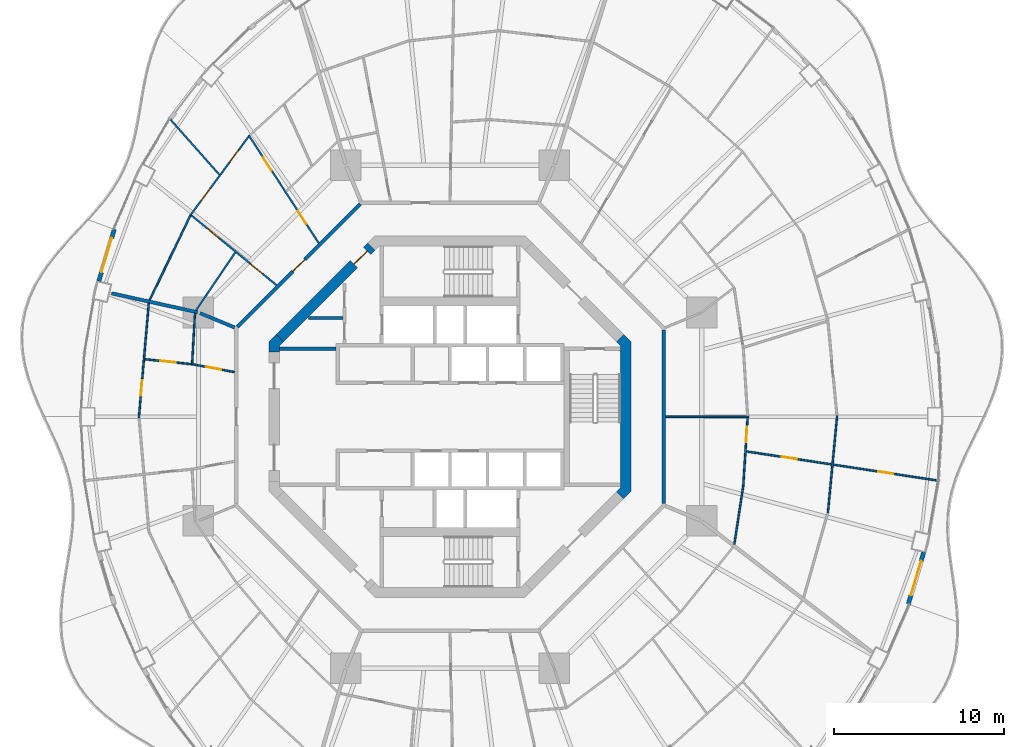
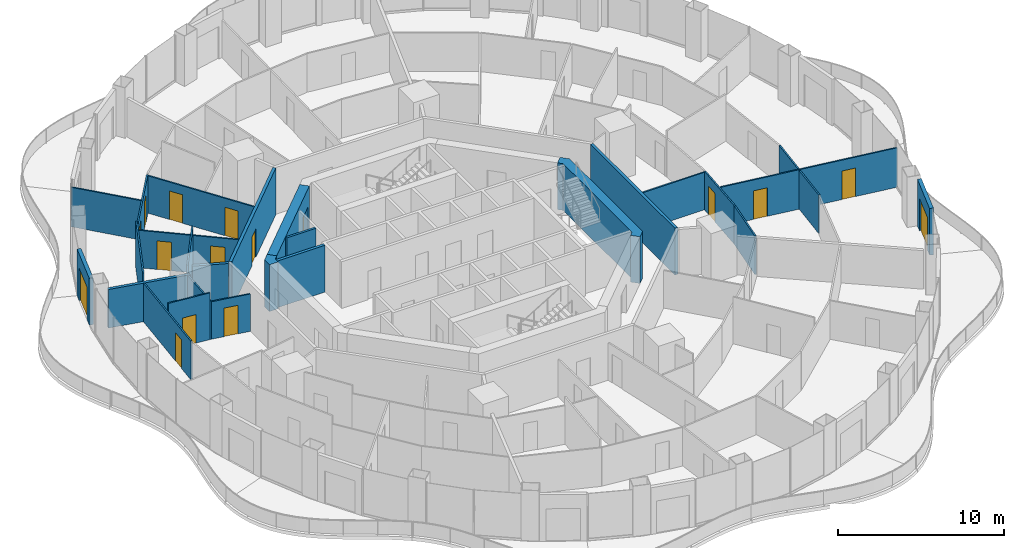
# One storey, part 13 of 19: 26 walls, 16 doors, 16 openings.
"""IFC4 building model written with IfcOpenShell, lengths in metres."""

from ifc_helpers import new_model, si_unit, direction, frame, frame_2d, origin, place, context, subcontext, project, spatial, polyline, rectangle, outline, extrude, material, layer, layer_set, type_object, element, fill, save


model = new_model("IFC4")

# Units and contexts
model_context = context("Model", 3, precision=1e-05, world=origin(), true_north=direction((0.0, 1.0)))
body_context = subcontext(model_context, "Body", "Model", "MODEL_VIEW")
ifc_project = project(units=[si_unit("LENGTHUNIT", "METRE"), si_unit("AREAUNIT", "SQUARE_METRE"), si_unit("VOLUMEUNIT", "CUBIC_METRE"), si_unit("PLANEANGLEUNIT", "RADIAN"), si_unit("MASSUNIT", "GRAM", prefix="KILO")], contexts=[model_context])

# Site, building, storey
site_placement = place(None, origin())
site = spatial("IfcSite", under=ifc_project, at=site_placement, CompositionType="ELEMENT")
building_placement = place(site_placement, origin())
building = spatial("IfcBuilding", under=site, at=building_placement, Name="Nagisa Residences", CompositionType="ELEMENT")
storey_placement = place(building_placement, frame((0.0, 0.0, 188.10009765625)))
storey = spatial("IfcBuildingStorey", under=building, at=storey_placement, Name="L47", CompositionType="ELEMENT", Elevation=188.10009765625)

# Walls
ifc_material_1 = material(Name="Gypsum board on steel studs", Category="steel")
ifc_layer_1 = layer(ifc_material_1, 0.199951171875)
ifc_layer_set_1 = layer_set([ifc_layer_1], Name="Apartment compartment wall EI60 200")
wall_type_1 = type_object("IfcWallType", Name="Apartment compartment wall EI60 200", PredefinedType="PARTITIONING", material=ifc_layer_set_1)
wall_1_placement = place(storey_placement, frame((-12.6572265625, 5.24267578125, 0.0), z_axis=(0.0, 0.0, 1.0), x_axis=(-0.923859888513, 0.38273085373, 0.0)))
element("IfcWall", 1, at=wall_1_placement, inside=storey, type_object=wall_type_1, Name="wall:L47:u04", PredefinedType="PARTITIONING", context=body_context, shape_type="SweptSolid", body=[
    extrude(rectangle(XDim=2.199462890625, YDim=0.199951171875, at=frame_2d((1.099609375, 0.0))), origin(), (0.0, 0.0, 1.0), 3.43994140625),
])
wall_2_placement = place(storey_placement, frame((-14.830810546875, 6.133544921875, 0.0), z_axis=(0.0, 0.0, 1.0), x_axis=(-0.976568396888, 0.215207263354, 0.0)))
element("IfcWall", 2, at=wall_2_placement, inside=storey, type_object=wall_type_1, Name="wall:L47:u05", PredefinedType="PARTITIONING", context=body_context, shape_type="SweptSolid", body=[
    extrude(rectangle(XDim=5.176513671875, YDim=0.199951171875, at=frame_2d((2.58837890625, 0.0))), origin(), (0.0, 0.0, 1.0), 2.8369140625),
])
ifc_material_2 = material(Name="Gypsum board on steel studs", Category="steel")
ifc_layer_2 = layer(ifc_material_2, 0.199951171875)
ifc_layer_set_2 = layer_set([ifc_layer_2], Name="Apartment entry wall EI60 200")
wall_type_2 = type_object("IfcWallType", Name="Apartment entry wall EI60 200", PredefinedType="PARTITIONING", material=ifc_layer_set_2)
wall_3_placement = place(storey_placement, frame((12.564697265625, -5.1044921875, 0.0), z_axis=(0.0, 0.0, 1.0), x_axis=(0.0, 1.0, 0.0)))
element("IfcWall", 3, at=wall_3_placement, inside=storey, type_object=wall_type_2, Name="wall:L47:u10", PredefinedType="PARTITIONING", context=body_context, shape_type="SweptSolid", body=[
    extrude(rectangle(XDim=10.208984375, YDim=0.199951171875, at=frame_2d((5.1044921875, 0.0))), origin(), (0.0, 0.0, 1.0), 3.43994140625),
])

# Wall, opening, door
wall_4_placement = place(storey_placement, frame((-5.275146484375, 12.494140625, 0.0), z_axis=(0.0, 0.0, 1.0), x_axis=(-0.707106781187, -0.707106781187, 0.0)))
wall_4 = element("IfcWall", 4, at=wall_4_placement, inside=storey, type_object=wall_type_2, Name="wall:L47:u13", PredefinedType="PARTITIONING", context=body_context, shape_type="SweptSolid", body=[
    extrude(rectangle(XDim=10.209228515625, YDim=0.199951171875, at=frame_2d((5.1044921875, 0.0))), origin(), (0.0, 0.0, 1.0), 3.43994140625),
])
opening_1_placement = place(wall_4_placement, frame((4.6044921875, 0.0, 0.0)))
opening_1 = element("IfcOpeningElement", 5, at=opening_1_placement, cuts=wall_4, Name="Opening L47-U01", PredefinedType="OPENING", context=body_context, shape_type="SweptSolid", body=[
    extrude(rectangle(XDim=1.0, YDim=2.10009765625, at=frame_2d((0.5, 1.050048828125))), frame((0.0, 0.10986328125, 0.0), z_axis=(0.0, -1.0, 0.0), x_axis=(1.0, 0.0, 0.0)), (0.0, 0.0, 1.0), 0.219970703125),
])
ifc_material_3 = material(Name="Timber fire door set", Category="wood")
door_type_1 = type_object("IfcDoorType", Name="Apartment entry door FD30S 1000x2100", OperationType="NOTDEFINED", PredefinedType="DOOR", material=ifc_material_3)
door_1_placement = place(opening_1_placement, frame((1.0, 0.0, 0.0), x_axis=(-1.0, 0.0, 0.0)))
door_1 = element("IfcDoor", 6, at=door_1_placement, inside=storey, type_object=door_type_1, Name="Entry door, Apartment 47A", OperationType="SINGLE_SWING_RIGHT", OverallHeight=2.10009765625, OverallWidth=1.0, PredefinedType="DOOR", context=body_context, shape_type="SweptSolid", body=[
    extrude(rectangle(XDim=1.0, YDim=2.10009765625, at=frame_2d((0.5, 1.050048828125))), frame((0.0, 0.02490234375, 0.0), z_axis=(0.0, -1.0, 0.0), x_axis=(1.0, 0.0, 0.0)), (0.0, 0.0, 1.0), 0.050048828125),
])
fill(opening_1, door_1)

# Wall
ifc_material_4 = material(Name="Gypsum board on steel studs", Category="steel")
ifc_layer_3 = layer(ifc_material_4, 0.10009765625)
ifc_layer_set_3 = layer_set([ifc_layer_3], Name="Apartment partition 100")
wall_type_3 = type_object("IfcWallType", Name="Apartment partition 100", PredefinedType="PARTITIONING", material=ifc_layer_set_3)
wall_5_placement = place(storey_placement, frame((12.664794921875, 0.0, 0.0), z_axis=(0.0, 0.0, 1.0), x_axis=(1.0, 0.0, 0.0)))
element("IfcWall", 7, at=wall_5_placement, inside=storey, type_object=wall_type_3, Name="wall:L47:u18", PredefinedType="PARTITIONING", context=body_context, shape_type="SweptSolid", body=[
    extrude(rectangle(XDim=4.873046875, YDim=0.10009765625, at=frame_2d((2.4365234375, 0.0))), origin(), (0.0, 0.0, 1.0), 2.755859375),
])

# Wall, opening, door
wall_6_placement = place(storey_placement, frame((17.484619140625, -0.0498046875, 0.0), z_axis=(0.0, 0.0, 1.0), x_axis=(-0.063673473968, -0.997970785501, 0.0)))
wall_6 = element("IfcWall", 8, at=wall_6_placement, inside=storey, type_object=wall_type_3, Name="wall:L47:u20", PredefinedType="PARTITIONING", context=body_context, shape_type="SweptSolid", body=[
    extrude(rectangle(XDim=4.072021484375, YDim=0.10009765625, at=frame_2d((2.0361328125, 0.0))), origin(), (0.0, 0.0, 1.0), 2.8369140625),
])
opening_2_placement = place(wall_6_placement, frame((0.54296875, 0.0, 0.0)))
opening_2 = element("IfcOpeningElement", 9, at=opening_2_placement, cuts=wall_6, Name="Opening L47-U45", PredefinedType="OPENING", context=body_context, shape_type="SweptSolid", body=[
    extrude(rectangle(XDim=0.89990234375, YDim=2.10009765625, at=frame_2d((0.449951171875, 1.050048828125))), frame((0.0, 0.06005859375, 0.0), z_axis=(0.0, -1.0, 0.0), x_axis=(1.0, 0.0, 0.0)), (0.0, 0.0, 1.0), 0.1201171875),
])
ifc_material_5 = material(Name="Timber door set", Category="wood")
door_type_2 = type_object("IfcDoorType", Name="Apartment door 900x2100", OperationType="NOTDEFINED", PredefinedType="DOOR", material=ifc_material_5)
door_2_placement = place(opening_2_placement, frame((0.89990234375, 0.0, 0.0), x_axis=(-1.0, 0.0, 0.0)))
door_2 = element("IfcDoor", 10, at=door_2_placement, inside=storey, type_object=door_type_2, Name="Door to laundry, Apartment 47D", OperationType="SINGLE_SWING_RIGHT", OverallHeight=2.10009765625, OverallWidth=0.89990234375, PredefinedType="DOOR", context=body_context, shape_type="SweptSolid", body=[
    extrude(rectangle(XDim=0.89990234375, YDim=2.10009765625, at=frame_2d((0.449951171875, 1.050048828125))), frame((0.0, 0.02490234375, 0.0), z_axis=(0.0, -1.0, 0.0), x_axis=(1.0, 0.0, 0.0)), (0.0, 0.0, 1.0), 0.050048828125),
])
fill(opening_2, door_2)

# Wall
wall_7_placement = place(storey_placement, frame((22.743896484375, 0.0498046875, 0.0), z_axis=(0.0, 0.0, 1.0), x_axis=(-0.094931362305, -0.995483820286, 0.0)))
element("IfcWall", 11, at=wall_7_placement, inside=storey, type_object=wall_type_3, Name="wall:L47:u22", PredefinedType="PARTITIONING", context=body_context, shape_type="SweptSolid", body=[
    extrude(rectangle(XDim=5.747802734375, YDim=0.10009765625, at=frame_2d((2.8740234375, 0.0))), origin(), (0.0, 0.0, 1.0), 2.8369140625),
])

# Wall, openings, doors
wall_8_placement = place(storey_placement, frame((-7.71240234375, 10.1953125, 0.0), z_axis=(0.0, 0.0, 1.0), x_axis=(-0.544179442551, 0.838968851809, 0.0)))
wall_8 = element("IfcWall", 12, at=wall_8_placement, inside=storey, type_object=wall_type_3, Name="wall:L47:u49", PredefinedType="PARTITIONING", context=body_context, shape_type="SweptSolid", body=[
    extrude(rectangle(XDim=7.56640625, YDim=0.10009765625, at=frame_2d((3.783203125, 0.0))), origin(), (0.0, 0.0, 1.0), 2.755859375),
])
opening_3_placement = place(wall_8_placement, frame((1.3427734375, 0.0, 0.0)))
opening_3 = element("IfcOpeningElement", 13, at=opening_3_placement, cuts=wall_8, Name="Opening L47-U02", PredefinedType="OPENING", context=body_context, shape_type="SweptSolid", body=[
    extrude(rectangle(XDim=0.89990234375, YDim=2.10009765625, at=frame_2d((0.449951171875, 1.050048828125))), frame((0.0, 0.06005859375, 0.0), z_axis=(0.0, -1.0, 0.0), x_axis=(1.0, 0.0, 0.0)), (0.0, 0.0, 1.0), 0.1201171875),
])
opening_4_placement = place(wall_8_placement, frame((5.100830078125, 0.0, 0.0)))
opening_4 = element("IfcOpeningElement", 14, at=opening_4_placement, cuts=wall_8, Name="Opening L47-U04", PredefinedType="OPENING", context=body_context, shape_type="SweptSolid", body=[
    extrude(rectangle(XDim=0.89990234375, YDim=2.10009765625, at=frame_2d((0.449951171875, 1.050048828125))), frame((0.0, 0.06005859375, 0.0), z_axis=(0.0, -1.0, 0.0), x_axis=(1.0, 0.0, 0.0)), (0.0, 0.0, 1.0), 0.1201171875),
])
door_3_placement = place(opening_3_placement, frame((0.89990234375, 0.0, 0.0), x_axis=(-1.0, 0.0, 0.0)))
door_3 = element("IfcDoor", 15, at=door_3_placement, inside=storey, type_object=door_type_2, Name="Door to store, Apartment 47A", OperationType="SINGLE_SWING_LEFT", OverallHeight=2.10009765625, OverallWidth=0.89990234375, PredefinedType="DOOR", context=body_context, shape_type="SweptSolid", body=[
    extrude(rectangle(XDim=0.89990234375, YDim=2.10009765625, at=frame_2d((0.449951171875, 1.050048828125))), frame((0.0, 0.02490234375, 0.0), z_axis=(0.0, -1.0, 0.0), x_axis=(1.0, 0.0, 0.0)), (0.0, 0.0, 1.0), 0.050048828125),
])
fill(opening_3, door_3)
door_4_placement = place(opening_4_placement, frame((0.89990234375, 0.0, 0.0), x_axis=(-1.0, 0.0, 0.0)))
door_4 = element("IfcDoor", 16, at=door_4_placement, inside=storey, type_object=door_type_2, Name="Door to family bathroom, Apartment 47A", OperationType="SINGLE_SWING_LEFT", OverallHeight=2.10009765625, OverallWidth=0.89990234375, PredefinedType="DOOR", context=body_context, shape_type="SweptSolid", body=[
    extrude(rectangle(XDim=0.89990234375, YDim=2.10009765625, at=frame_2d((0.449951171875, 1.050048828125))), frame((0.0, 0.02490234375, 0.0), z_axis=(0.0, -1.0, 0.0), x_axis=(1.0, 0.0, 0.0)), (0.0, 0.0, 1.0), 0.050048828125),
])
fill(opening_4, door_4)

wall_9_placement = place(storey_placement, frame((-11.832275390625, 16.461181640625, 0.0), z_axis=(0.0, 0.0, 1.0), x_axis=(-0.594704483906, -0.803944386647, 0.0)))
wall_9 = element("IfcWall", 17, at=wall_9_placement, inside=storey, type_object=wall_type_3, Name="wall:L47:u50", PredefinedType="PARTITIONING", context=body_context, shape_type="SweptSolid", body=[
    extrude(rectangle(XDim=5.671875, YDim=0.10009765625, at=frame_2d((2.8359375, 0.0))), origin(), (0.0, 0.0, 1.0), 2.8369140625),
])
opening_5_placement = place(wall_9_placement, frame((0.968017578125, 0.0, 0.0)))
opening_5 = element("IfcOpeningElement", 18, at=opening_5_placement, cuts=wall_9, Name="Opening L47-U06", PredefinedType="OPENING", context=body_context, shape_type="SweptSolid", body=[
    extrude(rectangle(XDim=0.89990234375, YDim=2.10009765625, at=frame_2d((0.449951171875, 1.050048828125))), frame((0.0, 0.06005859375, 0.0), z_axis=(0.0, -1.0, 0.0), x_axis=(1.0, 0.0, 0.0)), (0.0, 0.0, 1.0), 0.1201171875),
])
opening_6_placement = place(wall_9_placement, frame((3.8037109375, 0.0, 0.0)))
opening_6 = element("IfcOpeningElement", 19, at=opening_6_placement, cuts=wall_9, Name="Opening L47-U07", PredefinedType="OPENING", context=body_context, shape_type="SweptSolid", body=[
    extrude(rectangle(XDim=0.89990234375, YDim=2.10009765625, at=frame_2d((0.449951171875, 1.050048828125))), frame((0.0, 0.06005859375, 0.0), z_axis=(0.0, -1.0, 0.0), x_axis=(1.0, 0.0, 0.0)), (0.0, 0.0, 1.0), 0.1201171875),
])
door_5_placement = place(opening_5_placement, frame((0.89990234375, 0.0, 0.0), x_axis=(-1.0, 0.0, 0.0)))
door_5 = element("IfcDoor", 20, at=door_5_placement, inside=storey, type_object=door_type_2, Name="Door to master bedroom, Apartment 47A", OperationType="SINGLE_SWING_LEFT", OverallHeight=2.10009765625, OverallWidth=0.89990234375, PredefinedType="DOOR", context=body_context, shape_type="SweptSolid", body=[
    extrude(rectangle(XDim=0.89990234375, YDim=2.10009765625, at=frame_2d((0.449951171875, 1.050048828125))), frame((0.0, 0.02490234375, 0.0), z_axis=(0.0, -1.0, 0.0), x_axis=(1.0, 0.0, 0.0)), (0.0, 0.0, 1.0), 0.050048828125),
])
fill(opening_5, door_5)
door_6_placement = place(opening_6_placement, frame((0.89990234375, 0.0, 0.0), x_axis=(-1.0, 0.0, 0.0)))
door_6 = element("IfcDoor", 21, at=door_6_placement, inside=storey, type_object=door_type_2, Name="Door to living room, Apartment 47A", OperationType="SINGLE_SWING_RIGHT", OverallHeight=2.10009765625, OverallWidth=0.89990234375, PredefinedType="DOOR", context=body_context, shape_type="SweptSolid", body=[
    extrude(rectangle(XDim=0.89990234375, YDim=2.10009765625, at=frame_2d((0.449951171875, 1.050048828125))), frame((0.0, 0.02490234375, 0.0), z_axis=(0.0, -1.0, 0.0), x_axis=(1.0, 0.0, 0.0)), (0.0, 0.0, 1.0), 0.050048828125),
])
fill(opening_6, door_6)

# Wall
wall_10_placement = place(storey_placement, frame((-13.552001953125, 14.21875, 0.0), z_axis=(0.0, 0.0, 1.0), x_axis=(-0.663542794709, 0.748138329181, 0.0)))
element("IfcWall", 22, at=wall_10_placement, inside=storey, type_object=wall_type_3, Name="wall:L47:u51", PredefinedType="PARTITIONING", context=body_context, shape_type="SweptSolid", body=[
    extrude(rectangle(XDim=4.4501953125, YDim=0.10009765625, at=frame_2d((2.22509765625, 0.0))), origin(), (0.0, 0.0, 1.0), 2.90478515625),
])

# Wall, openings, doors
wall_11_placement = place(storey_placement, frame((-10.188720703125, 7.721435546875, 0.0), z_axis=(0.0, 0.0, 1.0), x_axis=(-0.773121441079, 0.634258021112, 0.0)))
wall_11 = element("IfcWall", 23, at=wall_11_placement, inside=storey, type_object=wall_type_3, Name="wall:L47:u52", PredefinedType="PARTITIONING", context=body_context, shape_type="SweptSolid", body=[
    extrude(rectangle(XDim=6.5771484375, YDim=0.10009765625, at=frame_2d((3.28857421875, 0.0))), origin(), (0.0, 0.0, 1.0), 2.755859375),
])
opening_7_placement = place(wall_11_placement, frame((1.103515625, 0.0, 0.0)))
opening_7 = element("IfcOpeningElement", 24, at=opening_7_placement, cuts=wall_11, Name="Opening L47-U03", PredefinedType="OPENING", context=body_context, shape_type="SweptSolid", body=[
    extrude(rectangle(XDim=0.89990234375, YDim=2.10009765625, at=frame_2d((0.449951171875, 1.050048828125))), frame((0.0, 0.06005859375, 0.0), z_axis=(0.0, -1.0, 0.0), x_axis=(1.0, 0.0, 0.0)), (0.0, 0.0, 1.0), 0.1201171875),
])
opening_8_placement = place(wall_11_placement, frame((4.366943359375, 0.0, 0.0)))
opening_8 = element("IfcOpeningElement", 25, at=opening_8_placement, cuts=wall_11, Name="Opening L47-U05", PredefinedType="OPENING", context=body_context, shape_type="SweptSolid", body=[
    extrude(rectangle(XDim=0.89990234375, YDim=2.10009765625, at=frame_2d((0.449951171875, 1.050048828125))), frame((0.0, 0.06005859375, 0.0), z_axis=(0.0, -1.0, 0.0), x_axis=(1.0, 0.0, 0.0)), (0.0, 0.0, 1.0), 0.1201171875),
])
door_7_placement = place(opening_7_placement, origin())
door_7 = element("IfcDoor", 26, at=door_7_placement, inside=storey, type_object=door_type_2, Name="Door to family bathroom, Apartment 47A", OperationType="SINGLE_SWING_LEFT", OverallHeight=2.10009765625, OverallWidth=0.89990234375, PredefinedType="DOOR", context=body_context, shape_type="SweptSolid", body=[
    extrude(rectangle(XDim=0.89990234375, YDim=2.10009765625, at=frame_2d((0.449951171875, 1.050048828125))), frame((0.0, 0.02490234375, 0.0), z_axis=(0.0, -1.0, 0.0), x_axis=(1.0, 0.0, 0.0)), (0.0, 0.0, 1.0), 0.050048828125),
])
fill(opening_7, door_7)
door_8_placement = place(opening_8_placement, origin())
door_8 = element("IfcDoor", 27, at=door_8_placement, inside=storey, type_object=door_type_2, Name="Door to kitchen, Apartment 47A", OperationType="SINGLE_SWING_LEFT", OverallHeight=2.10009765625, OverallWidth=0.89990234375, PredefinedType="DOOR", context=body_context, shape_type="SweptSolid", body=[
    extrude(rectangle(XDim=0.89990234375, YDim=2.10009765625, at=frame_2d((0.449951171875, 1.050048828125))), frame((0.0, 0.02490234375, 0.0), z_axis=(0.0, -1.0, 0.0), x_axis=(1.0, 0.0, 0.0)), (0.0, 0.0, 1.0), 0.050048828125),
])
fill(opening_8, door_8)

# Walls
wall_12_placement = place(storey_placement, frame((-12.61865234375, 9.650390625, 0.0), z_axis=(0.0, 0.0, 1.0), x_axis=(-0.561046521684, -0.82778427172, 0.0)))
element("IfcWall", 28, at=wall_12_placement, inside=storey, type_object=wall_type_3, Name="wall:L47:u53", PredefinedType="PARTITIONING", context=body_context, shape_type="SweptSolid", body=[
    extrude(rectangle(XDim=4.108642578125, YDim=0.10009765625, at=frame_2d((2.05419921875, 0.0))), origin(), (0.0, 0.0, 1.0), 3.43994140625),
])
wall_13_placement = place(storey_placement, frame((-15.2568359375, 11.816162109375, 0.0), z_axis=(0.0, 0.0, 1.0), x_axis=(-0.434027506504, -0.900899619046, 0.0)))
element("IfcWall", 29, at=wall_13_placement, inside=storey, type_object=wall_type_3, Name="wall:L47:u54", PredefinedType="PARTITIONING", context=body_context, shape_type="SweptSolid", body=[
    extrude(rectangle(XDim=5.508056640625, YDim=0.10009765625, at=frame_2d((2.75390625, 0.0))), origin(), (0.0, 0.0, 1.0), 3.43994140625),
])
wall_14_placement = place(storey_placement, frame((-14.985595703125, 6.066650390625, 0.0), z_axis=(0.0, 0.0, 1.0), x_axis=(-0.056333452925, -0.998412010185, 0.0)))
element("IfcWall", 30, at=wall_14_placement, inside=storey, type_object=wall_type_3, Name="wall:L47:u55", PredefinedType="PARTITIONING", context=body_context, shape_type="SweptSolid", body=[
    extrude(rectangle(XDim=3.0380859375, YDim=0.10009765625, at=frame_2d((1.51904296875, 0.0))), origin(), (0.0, 0.0, 1.0), 2.8369140625),
])

# Wall, opening, door
wall_15_placement = place(storey_placement, frame((-17.69970703125, 6.664306640625, 0.0), z_axis=(0.0, 0.0, 1.0), x_axis=(-0.086004282666, -0.996294767307, 0.0)))
wall_15 = element("IfcWall", 31, at=wall_15_placement, inside=storey, type_object=wall_type_3, Name="wall:L47:u56", PredefinedType="PARTITIONING", context=body_context, shape_type="SweptSolid", body=[
    extrude(rectangle(XDim=6.739013671875, YDim=0.10009765625, at=frame_2d((3.36962890625, 0.0))), origin(), (0.0, 0.0, 1.0), 2.8369140625),
])
opening_9_placement = place(wall_15_placement, frame((4.5419921875, 0.0, 0.0)))
opening_9 = element("IfcOpeningElement", 32, at=opening_9_placement, cuts=wall_15, Name="Opening L47-U15", PredefinedType="OPENING", context=body_context, shape_type="SweptSolid", body=[
    extrude(rectangle(XDim=0.89990234375, YDim=2.10009765625, at=frame_2d((0.449951171875, 1.050048828125))), frame((0.0, 0.06005859375, 0.0), z_axis=(0.0, -1.0, 0.0), x_axis=(1.0, 0.0, 0.0)), (0.0, 0.0, 1.0), 0.1201171875),
])
door_9_placement = place(opening_9_placement, frame((0.89990234375, 0.0, 0.0), x_axis=(-1.0, 0.0, 0.0)))
door_9 = element("IfcDoor", 33, at=door_9_placement, inside=storey, type_object=door_type_2, Name="Door to bedroom, Apartment 47B", OperationType="SINGLE_SWING_RIGHT", OverallHeight=2.10009765625, OverallWidth=0.89990234375, PredefinedType="DOOR", context=body_context, shape_type="SweptSolid", body=[
    extrude(rectangle(XDim=0.89990234375, YDim=2.10009765625, at=frame_2d((0.449951171875, 1.050048828125))), frame((0.0, 0.02490234375, 0.0), z_axis=(0.0, -1.0, 0.0), x_axis=(1.0, 0.0, 0.0)), (0.0, 0.0, 1.0), 0.050048828125),
])
fill(opening_9, door_9)

wall_16_placement = place(storey_placement, frame((-12.6630859375, 2.62060546875, 0.0), z_axis=(0.0, 0.0, 1.0), x_axis=(-0.983176884312, 0.182655999505, 0.0)))
wall_16 = element("IfcWall", 34, at=wall_16_placement, inside=storey, type_object=wall_type_3, Name="wall:L47:u57", PredefinedType="PARTITIONING", context=body_context, shape_type="SweptSolid", body=[
    extrude(rectangle(XDim=2.4833984375, YDim=0.10009765625, at=frame_2d((1.24169921875, 0.0))), origin(), (0.0, 0.0, 1.0), 2.755859375),
])
opening_10_placement = place(wall_16_placement, frame((0.791748046875, 0.0, 0.0)))
opening_10 = element("IfcOpeningElement", 35, at=opening_10_placement, cuts=wall_16, Name="Opening L47-U10", PredefinedType="OPENING", context=body_context, shape_type="SweptSolid", body=[
    extrude(rectangle(XDim=0.89990234375, YDim=2.10009765625, at=frame_2d((0.449951171875, 1.050048828125))), frame((0.0, 0.06005859375, 0.0), z_axis=(0.0, -1.0, 0.0), x_axis=(1.0, 0.0, 0.0)), (0.0, 0.0, 1.0), 0.1201171875),
])
door_10_placement = place(opening_10_placement, frame((0.89990234375, 0.0, 0.0), x_axis=(-1.0, 0.0, 0.0)))
door_10 = element("IfcDoor", 36, at=door_10_placement, inside=storey, type_object=door_type_2, Name="Door to family bathroom, Apartment 47B", OperationType="SINGLE_SWING_LEFT", OverallHeight=2.10009765625, OverallWidth=0.89990234375, PredefinedType="DOOR", context=body_context, shape_type="SweptSolid", body=[
    extrude(rectangle(XDim=0.89990234375, YDim=2.10009765625, at=frame_2d((0.449951171875, 1.050048828125))), frame((0.0, 0.02490234375, 0.0), z_axis=(0.0, -1.0, 0.0), x_axis=(1.0, 0.0, 0.0)), (0.0, 0.0, 1.0), 0.050048828125),
])
fill(opening_10, door_10)

wall_17_placement = place(storey_placement, frame((-15.20361328125, 3.088623046875, 0.0), z_axis=(0.0, 0.0, 1.0), x_axis=(-0.994477149695, 0.104953316934, 0.0)))
wall_17 = element("IfcWall", 37, at=wall_17_placement, inside=storey, type_object=wall_type_3, Name="wall:L47:u58", PredefinedType="PARTITIONING", context=body_context, shape_type="SweptSolid", body=[
    extrude(rectangle(XDim=2.744873046875, YDim=0.10009765625, at=frame_2d((1.37255859375, 0.0))), origin(), (0.0, 0.0, 1.0), 3.43994140625),
])
opening_11_placement = place(wall_17_placement, frame((0.92236328125, 0.0, 0.0)))
opening_11 = element("IfcOpeningElement", 38, at=opening_11_placement, cuts=wall_17, Name="Opening L47-U12", PredefinedType="OPENING", context=body_context, shape_type="SweptSolid", body=[
    extrude(rectangle(XDim=0.89990234375, YDim=2.10009765625, at=frame_2d((0.449951171875, 1.050048828125))), frame((0.0, 0.06005859375, 0.0), z_axis=(0.0, -1.0, 0.0), x_axis=(1.0, 0.0, 0.0)), (0.0, 0.0, 1.0), 0.1201171875),
])
door_11_placement = place(opening_11_placement, frame((0.89990234375, 0.0, 0.0), x_axis=(-1.0, 0.0, 0.0)))
door_11 = element("IfcDoor", 39, at=door_11_placement, inside=storey, type_object=door_type_2, Name="Door to family bathroom, Apartment 47B", OperationType="SINGLE_SWING_LEFT", OverallHeight=2.10009765625, OverallWidth=0.89990234375, PredefinedType="DOOR", context=body_context, shape_type="SweptSolid", body=[
    extrude(rectangle(XDim=0.89990234375, YDim=2.10009765625, at=frame_2d((0.449951171875, 1.050048828125))), frame((0.0, 0.02490234375, 0.0), z_axis=(0.0, -1.0, 0.0), x_axis=(1.0, 0.0, 0.0)), (0.0, 0.0, 1.0), 0.050048828125),
])
fill(opening_11, door_11)

# Wall
wall_18_placement = place(storey_placement, frame((16.704345703125, -7.4931640625, 0.0), z_axis=(0.0, 0.0, 1.0), x_axis=(0.1510806336, 0.988521442434, 0.0)))
element("IfcWall", 40, at=wall_18_placement, inside=storey, type_object=wall_type_3, Name="wall:L47:u94", PredefinedType="PARTITIONING", context=body_context, shape_type="SweptSolid", body=[
    extrude(rectangle(XDim=3.41943359375, YDim=0.10009765625, at=frame_2d((1.709716796875, 0.0))), origin(), (0.0, 0.0, 1.0), 2.8369140625),
])

# Wall, openings, doors
wall_19_placement = place(storey_placement, frame((17.407470703125, -2.039306640625, 0.0), z_axis=(0.0, 0.0, 1.0), x_axis=(0.98858728603, -0.150649188184, 0.0)))
wall_19 = element("IfcWall", 41, at=wall_19_placement, inside=storey, type_object=wall_type_3, Name="wall:L47:u96", PredefinedType="PARTITIONING", context=body_context, shape_type="SweptSolid", body=[
    extrude(rectangle(XDim=11.44140625, YDim=0.10009765625, at=frame_2d((5.720703125, 0.0))), origin(), (0.0, 0.0, 1.0), 2.90478515625),
])
opening_12_placement = place(wall_19_placement, frame((7.831787109375, 0.0, 0.0)))
opening_12 = element("IfcOpeningElement", 42, at=opening_12_placement, cuts=wall_19, Name="Opening L47-U44", PredefinedType="OPENING", context=body_context, shape_type="SweptSolid", body=[
    extrude(rectangle(XDim=0.89990234375, YDim=2.10009765625, at=frame_2d((0.449951171875, 1.050048828125))), frame((0.0, 0.06005859375, 0.0), z_axis=(0.0, -1.0, 0.0), x_axis=(1.0, 0.0, 0.0)), (0.0, 0.0, 1.0), 0.1201171875),
])
opening_13_placement = place(wall_19_placement, frame((2.111083984375, 0.0, 0.0)))
opening_13 = element("IfcOpeningElement", 43, at=opening_13_placement, cuts=wall_19, Name="Opening L47-U46", PredefinedType="OPENING", context=body_context, shape_type="SweptSolid", body=[
    extrude(rectangle(XDim=0.89990234375, YDim=2.10009765625, at=frame_2d((0.449951171875, 1.050048828125))), frame((0.0, 0.06005859375, 0.0), z_axis=(0.0, -1.0, 0.0), x_axis=(1.0, 0.0, 0.0)), (0.0, 0.0, 1.0), 0.1201171875),
])
door_12_placement = place(opening_12_placement, frame((0.89990234375, 0.0, 0.0), x_axis=(-1.0, 0.0, 0.0)))
door_12 = element("IfcDoor", 44, at=door_12_placement, inside=storey, type_object=door_type_2, Name="Door to master bedroom, Apartment 47D", OperationType="SINGLE_SWING_LEFT", OverallHeight=2.10009765625, OverallWidth=0.89990234375, PredefinedType="DOOR", context=body_context, shape_type="SweptSolid", body=[
    extrude(rectangle(XDim=0.89990234375, YDim=2.10009765625, at=frame_2d((0.449951171875, 1.050048828125))), frame((0.0, 0.02490234375, 0.0), z_axis=(0.0, -1.0, 0.0), x_axis=(1.0, 0.0, 0.0)), (0.0, 0.0, 1.0), 0.050048828125),
])
fill(opening_12, door_12)
door_13_placement = place(opening_13_placement, frame((0.89990234375, 0.0, 0.0), x_axis=(-1.0, 0.0, 0.0)))
door_13 = element("IfcDoor", 45, at=door_13_placement, inside=storey, type_object=door_type_2, Name="Door to kitchen, Apartment 47D", OperationType="SINGLE_SWING_LEFT", OverallHeight=2.10009765625, OverallWidth=0.89990234375, PredefinedType="DOOR", context=body_context, shape_type="SweptSolid", body=[
    extrude(rectangle(XDim=0.89990234375, YDim=2.10009765625, at=frame_2d((0.449951171875, 1.050048828125))), frame((0.0, 0.02490234375, 0.0), z_axis=(0.0, -1.0, 0.0), x_axis=(1.0, 0.0, 0.0)), (0.0, 0.0, 1.0), 0.050048828125),
])
fill(opening_13, door_13)

# Wall, opening, door
ifc_material_6 = material(Name="Precast concrete C40/50", Category="concrete")
ifc_layer_4 = layer(ifc_material_6, 0.25)
ifc_layer_set_4 = layer_set([ifc_layer_4], Name="BALCONY DOOR WALL 250")
wall_type_4 = type_object("IfcWallType", Name="BALCONY DOOR WALL 250", PredefinedType="SOLIDWALL", material=ifc_layer_set_4)
wall_20_placement = place(storey_placement, frame((-20.63330078125, 7.964599609375, 0.0), z_axis=(0.0, 0.0, 1.0), x_axis=(0.28584838049, 0.958274857946, 0.0)))
wall_20 = element("IfcWall", 46, at=wall_20_placement, inside=storey, type_object=wall_type_4, Name="wall:L47:bay21", PredefinedType="SOLIDWALL", context=body_context, shape_type="SweptSolid", body=[
    extrude(rectangle(XDim=3.182373046875, YDim=0.25, at=frame_2d((1.59130859375, 0.0))), origin(), (0.0, 0.0, 1.0), 3.43994140625),
])
opening_14_placement = place(wall_20_placement, frame((0.541259765625, 0.0, 0.0)))
opening_14 = element("IfcOpeningElement", 47, at=opening_14_placement, cuts=wall_20, Name="Opening BD-L47-08", PredefinedType="OPENING", context=body_context, shape_type="SweptSolid", body=[
    extrude(rectangle(XDim=2.10009765625, YDim=2.39990234375, at=frame_2d((1.050048828125, 1.199951171875))), frame((0.0, 0.135009765625, 0.0), z_axis=(0.0, -1.0, 0.0), x_axis=(1.0, 0.0, 0.0)), (0.0, 0.0, 1.0), 0.27001953125),
])
ifc_material_7 = material(Name="Aluminium and clear glass", Category="aluminium")
door_type_3 = type_object("IfcDoorType", Name="BALCONY SLIDING DOOR 2100x2400", OperationType="SLIDING_TO_LEFT", PredefinedType="DOOR", material=ifc_material_7)
door_14_placement = place(opening_14_placement, origin())
door_14 = element("IfcDoor", 48, at=door_14_placement, inside=storey, type_object=door_type_3, Name="door:L47:bay21", OperationType="SLIDING_TO_LEFT", OverallHeight=2.39990234375, OverallWidth=2.10009765625, PredefinedType="DOOR", context=body_context, shape_type="SweptSolid", body=[
    extrude(rectangle(XDim=2.10009765625, YDim=2.39990234375, at=frame_2d((1.050048828125, 1.199951171875))), frame((0.0, 0.02490234375, 0.0), z_axis=(0.0, -1.0, 0.0), x_axis=(1.0, 0.0, 0.0)), (0.0, 0.0, 1.0), 0.050048828125),
])
fill(opening_14, door_14)

wall_21_placement = place(storey_placement, frame((27.833251953125, -7.964599609375, 0.0), z_axis=(0.0, 0.0, 1.0), x_axis=(-0.28584838049, -0.958274857946, 0.0)))
wall_21 = element("IfcWall", 49, at=wall_21_placement, inside=storey, type_object=wall_type_4, Name="wall:L47:bay45", PredefinedType="SOLIDWALL", context=body_context, shape_type="SweptSolid", body=[
    extrude(rectangle(XDim=3.182373046875, YDim=0.25, at=frame_2d((1.59130859375, 0.0))), origin(), (0.0, 0.0, 1.0), 3.43994140625),
])
opening_15_placement = place(wall_21_placement, frame((0.541259765625, 0.0, 0.0)))
opening_15 = element("IfcOpeningElement", 50, at=opening_15_placement, cuts=wall_21, Name="Opening BD-L47-16", PredefinedType="OPENING", context=body_context, shape_type="SweptSolid", body=[
    extrude(rectangle(XDim=2.10009765625, YDim=2.39990234375, at=frame_2d((1.050048828125, 1.199951171875))), frame((0.0, 0.135009765625, 0.0), z_axis=(0.0, -1.0, 0.0), x_axis=(1.0, 0.0, 0.0)), (0.0, 0.0, 1.0), 0.27001953125),
])
door_15_placement = place(opening_15_placement, origin())
door_15 = element("IfcDoor", 51, at=door_15_placement, inside=storey, type_object=door_type_3, Name="door:L47:bay45", OperationType="SLIDING_TO_LEFT", OverallHeight=2.39990234375, OverallWidth=2.10009765625, PredefinedType="DOOR", context=body_context, shape_type="SweptSolid", body=[
    extrude(rectangle(XDim=2.10009765625, YDim=2.39990234375, at=frame_2d((1.050048828125, 1.199951171875))), frame((0.0, 0.02490234375, 0.0), z_axis=(0.0, -1.0, 0.0), x_axis=(1.0, 0.0, 0.0)), (0.0, 0.0, 1.0), 0.050048828125),
])
fill(opening_15, door_15)

# Walls
ifc_material_8 = material(Name="Gypsum board on steel studs", Category="steel")
ifc_layer_5 = layer(ifc_material_8, 0.14990234375)
ifc_layer_set_5 = layer_set([ifc_layer_5], Name="Core partition 150")
wall_type_5 = type_object("IfcWallType", Name="Core partition 150", PredefinedType="PARTITIONING", material=ifc_layer_set_5)
wall_22_placement = place(storey_placement, frame((-8.301025390625, 5.800048828125, 0.0), z_axis=(0.0, 0.0, 1.0), x_axis=(1.0, 0.0, 0.0)))
element("IfcWall", 52, at=wall_22_placement, inside=storey, type_object=wall_type_5, Name="wall:L47:NWq", PredefinedType="PARTITIONING", context=body_context, shape_type="SweptSolid", body=[
    extrude(rectangle(XDim=2.026123046875, YDim=0.14990234375, at=frame_2d((1.01318359375, 0.0))), origin(), (0.0, 0.0, 1.0), 3.43994140625),
])
ifc_material_9 = material(Name="Gypsum board on steel studs", Category="steel")
ifc_layer_6 = layer(ifc_material_9, 0.199951171875)
ifc_layer_set_6 = layer_set([ifc_layer_6], Name="Core partition 200")
wall_type_6 = type_object("IfcWallType", Name="Core partition 200", PredefinedType="PARTITIONING", material=ifc_layer_set_6)
wall_23_placement = place(storey_placement, frame((-10.024658203125, 4.0, 0.0), z_axis=(0.0, 0.0, 1.0), x_axis=(1.0, 0.0, 0.0)))
element("IfcWall", 53, at=wall_23_placement, inside=storey, type_object=wall_type_6, Name="wall:L47:PNW", PredefinedType="PARTITIONING", context=body_context, shape_type="SweptSolid", body=[
    extrude(rectangle(XDim=3.32470703125, YDim=0.199951171875, at=frame_2d((1.662353515625, 0.0))), origin(), (0.0, 0.0, 1.0), 3.43994140625),
])

# Wall, opening, door
ifc_material_10 = material(Name="Concrete C60", Category="concrete")
ifc_layer_7 = layer(ifc_material_10, 0.60009765625)
ifc_layer_set_7 = layer_set([ifc_layer_7], Name="Core shear wall 600")
wall_type_7 = type_object("IfcWallType", Name="Core shear wall 600", PredefinedType="SHEAR", material=ifc_layer_set_7)
wall_24_placement = place(storey_placement, frame((-4.613037109375, 9.98828125, 0.0), z_axis=(0.0, 0.0, 1.0), x_axis=(-0.707106781187, -0.707106781187, 0.0)))
wall_24 = element("IfcWall", 54, at=wall_24_placement, inside=storey, type_object=wall_type_7, Name="wall:L47:core:flat3", PredefinedType="SHEAR", context=body_context, shape_type="SweptSolid", body=[
    extrude(rectangle(XDim=7.601806640625, YDim=0.60009765625, at=frame_2d((3.80078125, 0.0))), origin(), (0.0, 0.0, 1.0), 3.43994140625),
])
opening_16_placement = place(wall_24_placement, frame((0.350830078125, 0.0, 0.0)))
opening_16 = element("IfcOpeningElement", 55, at=opening_16_placement, cuts=wall_24, Name="Opening L47-C22", PredefinedType="OPENING", context=body_context, shape_type="SweptSolid", body=[
    extrude(rectangle(XDim=1.10009765625, YDim=2.10009765625, at=frame_2d((0.550048828125, 1.050048828125))), frame((0.0, 0.31005859375, 0.0), z_axis=(0.0, -1.0, 0.0), x_axis=(1.0, 0.0, 0.0)), (0.0, 0.0, 1.0), 0.6201171875),
])
ifc_material_11 = material(Name="Steel fire door", Category="steel")
door_type_4 = type_object("IfcDoorType", Name="Fire door EI60 1100x2100 single swing", OperationType="NOTDEFINED", PredefinedType="DOOR", material=ifc_material_11)
door_16_placement = place(opening_16_placement, origin())
door_16 = element("IfcDoor", 56, at=door_16_placement, inside=storey, type_object=door_type_4, Name="Service lobby door L47", OperationType="SINGLE_SWING_RIGHT", OverallHeight=2.10009765625, OverallWidth=1.10009765625, PredefinedType="DOOR", context=body_context, shape_type="SweptSolid", body=[
    extrude(rectangle(XDim=1.10009765625, YDim=2.10009765625, at=frame_2d((0.550048828125, 1.050048828125))), frame((0.0, 0.02490234375, 0.0), z_axis=(0.0, -1.0, 0.0), x_axis=(1.0, 0.0, 0.0)), (0.0, 0.0, 1.0), 0.050048828125),
])
fill(opening_16, door_16)

# Walls
wall_25_placement = place(storey_placement, origin())
element("IfcWall", 57, at=wall_25_placement, inside=storey, type_object=wall_type_7, Name="wall:L47:core:pier3", PredefinedType="SHEAR", context=body_context, shape_type="SweptSolid", body=[
    extrude(outline(polyline([(-10.200439453125, 4.8251953125), (-9.776123046875, 4.40087890625), (-10.024658203125, 4.15234375), (-10.024658203125, 3.80078125), (-10.62451171875, 3.80078125), (-10.62451171875, 4.40087890625), (-10.200439453125, 4.8251953125)])), origin(), (0.0, 0.0, 1.0), 3.43994140625),
])
wall_26_placement = place(storey_placement, origin())
element("IfcWall", 58, at=wall_26_placement, inside=storey, type_object=wall_type_7, Name="wall:L47:core:flat0", PredefinedType="SHEAR", context=body_context, shape_type="SweptSolid", body=[
    extrude(outline(polyline([(9.776123046875, -4.40087890625), (10.024658203125, -4.15234375), (10.024658203125, -3.801025390625), (10.024658203125, 4.15234375), (9.776123046875, 4.40087890625), (10.200439453125, 4.8251953125), (10.62451171875, 4.40087890625), (10.62451171875, -4.40087890625), (10.200439453125, -4.8251953125), (9.776123046875, -4.40087890625)])), origin(), (0.0, 0.0, 1.0), 3.43994140625),
])

save(model, "model.ifc")
